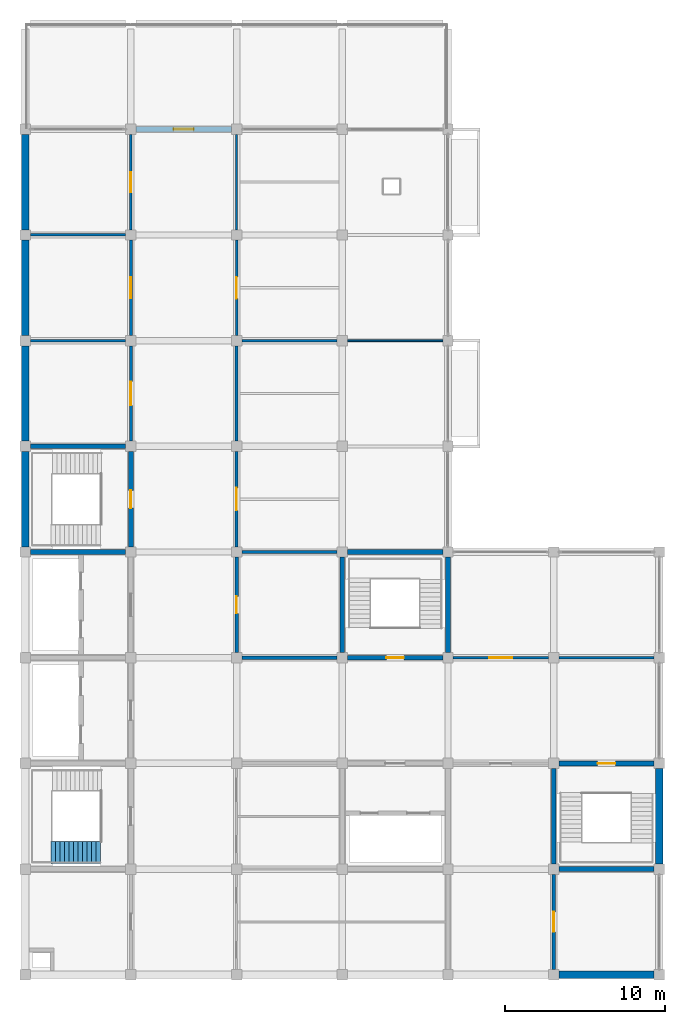
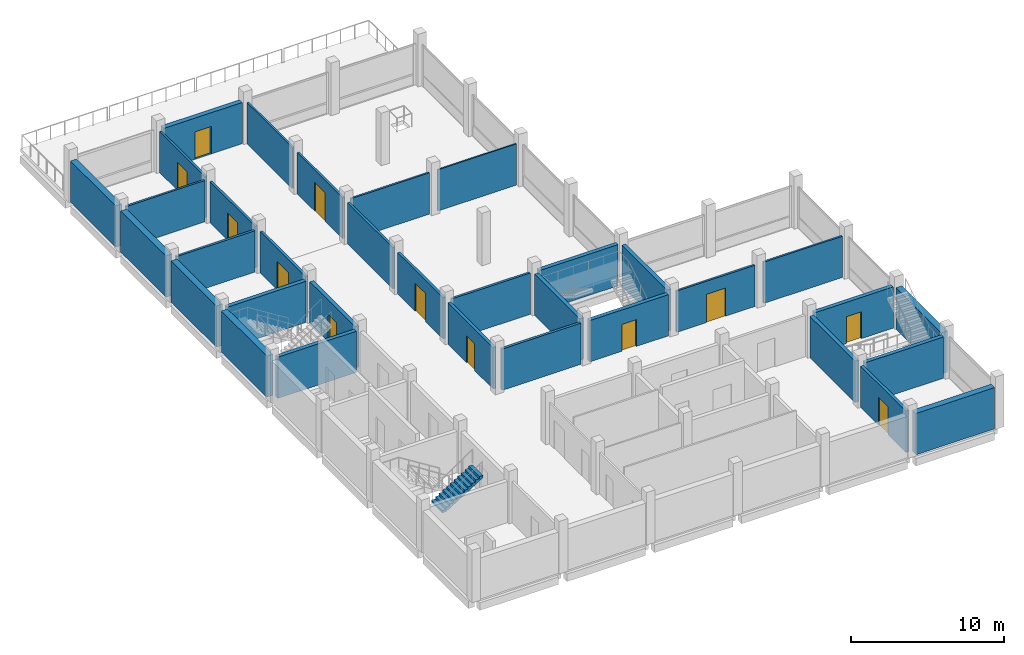
# One storey, part 8 of 11: 34 walls, 12 doors, 1 stair flight, 12 openings, 1 element without a shape of its own.
"""IFC4 building model written with IfcOpenShell, lengths in metres."""

from ifc_helpers import new_model, si_unit, direction, frame, frame_2d, origin, place, context, subcontext, project, spatial, polyline, rectangle, outline, extrude, material, layer, layer_set, type_object, element, fill, aggregate, save


model = new_model("IFC4")

# Units and contexts
model_context = context("Model", 3, precision=1e-05, world=origin(), true_north=direction((0.0, 1.0)))
body_context = subcontext(model_context, "Body", "Model", "MODEL_VIEW")
ifc_project = project(units=[si_unit("LENGTHUNIT", "METRE"), si_unit("AREAUNIT", "SQUARE_METRE"), si_unit("VOLUMEUNIT", "CUBIC_METRE"), si_unit("PLANEANGLEUNIT", "RADIAN"), si_unit("MASSUNIT", "GRAM", prefix="KILO")], contexts=[model_context])

# Site, building, storey
site_placement = place(None, origin())
site = spatial("IfcSite", under=ifc_project, at=site_placement, CompositionType="ELEMENT")
building_placement = place(site_placement, origin())
building = spatial("IfcBuilding", under=site, at=building_placement, Name="Rusizi Kubbe Research Institute", CompositionType="ELEMENT")
storey_placement = place(building_placement, frame((0.0, 0.0, 56.39990234375)))
storey = spatial("IfcBuildingStorey", under=building, at=storey_placement, Name="L13", CompositionType="ELEMENT", Elevation=56.39990234375)

# Walls
ifc_material_1 = material(Name="Concrete C40/50", Category="concrete")
ifc_layer_1 = layer(ifc_material_1, 0.294921875)
ifc_layer_set_1 = layer_set([ifc_layer_1], Name="Concrete C40/50")
wall_type_1 = type_object("IfcWallType", Name="CRW-03", PredefinedType="SHEAR", material=ifc_layer_set_1)
for number, where, z_axis, x_axis, name in (
    (1, (0.324951171875, 26.39990234375, 0.0), (0.0, 0.0, 1.0), (1.0, 0.0, 0.0), "Stair Core Shear Wall ST2 L13 S"),
    (2, (0.324951171875, 33.0, 0.0), (0.0, 0.0, 1.0), (1.0, 0.0, 0.0), "Stair Core Shear Wall ST2 L13 N"),
):
    element("IfcWall", number, at=place(storey_placement, frame(where, z_axis=z_axis, x_axis=x_axis)), inside=storey, type_object=wall_type_1, Name=name, PredefinedType="SHEAR", context=body_context, shape_type="SweptSolid", body=[
        extrude(rectangle(XDim=5.949951171875, YDim=0.294921875, at=frame_2d((2.97509765625, 0.0))), origin(), (0.0, 0.0, 1.0), 3.300048828125),
    ])

# Wall, opening, door
wall_1_placement = place(storey_placement, frame((6.60009765625, 26.72509765625, 0.0), z_axis=(0.0, 0.0, 1.0), x_axis=(0.0, 1.0, 0.0)))
wall_1 = element("IfcWall", 3, at=wall_1_placement, inside=storey, type_object=wall_type_1, Name="Stair Core Shear Wall ST2 L13 E", PredefinedType="SHEAR", context=body_context, shape_type="SweptSolid", body=[
    extrude(rectangle(XDim=5.949951171875, YDim=0.294921875, at=frame_2d((2.97509765625, 0.0))), origin(), (0.0, 0.0, 1.0), 3.300048828125),
])
opening_1_placement = place(wall_1_placement, frame((2.425048828125, 0.0, 0.0)))
opening_1 = element("IfcOpeningElement", 4, at=opening_1_placement, cuts=wall_1, Name="Opening D-01", PredefinedType="OPENING", context=body_context, shape_type="SweptSolid", body=[
    extrude(rectangle(XDim=1.10009765625, YDim=2.14990234375, at=frame_2d((0.550048828125, 1.074951171875))), frame((0.0, 0.157470703125, 0.0), z_axis=(0.0, -1.0, 0.0), x_axis=(1.0, 0.0, 0.0)), (0.0, 0.0, 1.0), 0.31494140625),
])
ifc_material_2 = material(Name="Fire-Rated Steel Frame and Acoustic Timber Leaf", Category="wood")
door_type_1 = type_object("IfcDoorType", Name="ID-STAIR-110", OperationType="NOTDEFINED", PredefinedType="DOOR", material=ifc_material_2)
door_1_placement = place(opening_1_placement, origin())
door_1 = element("IfcDoor", 5, at=door_1_placement, inside=storey, type_object=door_type_1, Name="Exit Stair Door ST2 L13", OperationType="SINGLE_SWING_LEFT", OverallHeight=2.14990234375, OverallWidth=1.10009765625, PredefinedType="DOOR", context=body_context, shape_type="SweptSolid", body=[
    extrude(rectangle(XDim=1.10009765625, YDim=2.14990234375, at=frame_2d((0.550048828125, 1.074951171875))), frame((0.0, 0.02490234375, 0.0), z_axis=(0.0, -1.0, 0.0), x_axis=(1.0, 0.0, 0.0)), (0.0, 0.0, 1.0), 0.050048828125),
])
fill(opening_1, door_1)

wall_2_placement = place(storey_placement, frame((20.125, 19.800048828125, 0.0), z_axis=(0.0, 0.0, 1.0), x_axis=(1.0, 0.0, 0.0)))
wall_2 = element("IfcWall", 6, at=wall_2_placement, inside=storey, type_object=wall_type_1, Name="Stair Core Shear Wall ST3 L13 S", PredefinedType="SHEAR", context=body_context, shape_type="SweptSolid", body=[
    extrude(rectangle(XDim=5.949951171875, YDim=0.294921875, at=frame_2d((2.97509765625, 0.0))), origin(), (0.0, 0.0, 1.0), 3.300048828125),
])
opening_2_placement = place(wall_2_placement, frame((2.425048828125, 0.0, 0.0)))
opening_2 = element("IfcOpeningElement", 7, at=opening_2_placement, cuts=wall_2, Name="Opening D-01", PredefinedType="OPENING", context=body_context, shape_type="SweptSolid", body=[
    extrude(rectangle(XDim=1.10009765625, YDim=2.14990234375, at=frame_2d((0.550048828125, 1.074951171875))), frame((0.0, 0.157470703125, 0.0), z_axis=(0.0, -1.0, 0.0), x_axis=(1.0, 0.0, 0.0)), (0.0, 0.0, 1.0), 0.31494140625),
])
door_2_placement = place(opening_2_placement, origin())
door_2 = element("IfcDoor", 8, at=door_2_placement, inside=storey, type_object=door_type_1, Name="Exit Stair Door ST3 L13", OperationType="SINGLE_SWING_LEFT", OverallHeight=2.14990234375, OverallWidth=1.10009765625, PredefinedType="DOOR", context=body_context, shape_type="SweptSolid", body=[
    extrude(rectangle(XDim=1.10009765625, YDim=2.14990234375, at=frame_2d((0.550048828125, 1.074951171875))), frame((0.0, 0.02490234375, 0.0), z_axis=(0.0, -1.0, 0.0), x_axis=(1.0, 0.0, 0.0)), (0.0, 0.0, 1.0), 0.050048828125),
])
fill(opening_2, door_2)

# Walls
for number, where, z_axis, x_axis, name in (
    (9, (20.125, 26.39990234375, 0.0), (0.0, 0.0, 1.0), (1.0, 0.0, 0.0), "Stair Core Shear Wall ST3 L13 N"),
    (10, (19.800048828125, 20.125, 0.0), (0.0, 0.0, 1.0), (0.0, 1.0, 0.0), "Stair Core Shear Wall ST3 L13 W"),
    (11, (26.39990234375, 20.125, 0.0), (0.0, 0.0, 1.0), (0.0, 1.0, 0.0), "Stair Core Shear Wall ST3 L13 E"),
    (12, (33.324951171875, 6.60009765625, 0.0), (0.0, 0.0, 1.0), (1.0, 0.0, 0.0), "Stair Core Shear Wall ST4 L13 S"),
):
    element("IfcWall", number, at=place(storey_placement, frame(where, z_axis=z_axis, x_axis=x_axis)), inside=storey, type_object=wall_type_1, Name=name, PredefinedType="SHEAR", context=body_context, shape_type="SweptSolid", body=[
        extrude(rectangle(XDim=5.949951171875, YDim=0.294921875, at=frame_2d((2.97509765625, 0.0))), origin(), (0.0, 0.0, 1.0), 3.300048828125),
    ])

# Wall, opening, door
wall_3_placement = place(storey_placement, frame((33.324951171875, 13.199951171875, 0.0), z_axis=(0.0, 0.0, 1.0), x_axis=(1.0, 0.0, 0.0)))
wall_3 = element("IfcWall", 13, at=wall_3_placement, inside=storey, type_object=wall_type_1, Name="Stair Core Shear Wall ST4 L13 N", PredefinedType="SHEAR", context=body_context, shape_type="SweptSolid", body=[
    extrude(rectangle(XDim=5.949951171875, YDim=0.294921875, at=frame_2d((2.97509765625, 0.0))), origin(), (0.0, 0.0, 1.0), 3.300048828125),
])
opening_3_placement = place(wall_3_placement, frame((2.425048828125, 0.0, 0.0)))
opening_3 = element("IfcOpeningElement", 14, at=opening_3_placement, cuts=wall_3, Name="Opening D-01", PredefinedType="OPENING", context=body_context, shape_type="SweptSolid", body=[
    extrude(rectangle(XDim=1.10009765625, YDim=2.14990234375, at=frame_2d((0.550048828125, 1.074951171875))), frame((0.0, 0.157470703125, 0.0), z_axis=(0.0, -1.0, 0.0), x_axis=(1.0, 0.0, 0.0)), (0.0, 0.0, 1.0), 0.31494140625),
])
door_3_placement = place(opening_3_placement, origin())
door_3 = element("IfcDoor", 15, at=door_3_placement, inside=storey, type_object=door_type_1, Name="Exit Stair Door ST4 L13", OperationType="SINGLE_SWING_LEFT", OverallHeight=2.14990234375, OverallWidth=1.10009765625, PredefinedType="DOOR", context=body_context, shape_type="SweptSolid", body=[
    extrude(rectangle(XDim=1.10009765625, YDim=2.14990234375, at=frame_2d((0.550048828125, 1.074951171875))), frame((0.0, 0.02490234375, 0.0), z_axis=(0.0, -1.0, 0.0), x_axis=(1.0, 0.0, 0.0)), (0.0, 0.0, 1.0), 0.050048828125),
])
fill(opening_3, door_3)

# Wall
wall_4_placement = place(storey_placement, frame((33.0, 6.925048828125, 0.0), z_axis=(0.0, 0.0, 1.0), x_axis=(0.0, 1.0, 0.0)))
element("IfcWall", 16, at=wall_4_placement, inside=storey, type_object=wall_type_1, Name="Stair Core Shear Wall ST4 L13 W", PredefinedType="SHEAR", context=body_context, shape_type="SweptSolid", body=[
    extrude(rectangle(XDim=5.949951171875, YDim=0.294921875, at=frame_2d((2.97509765625, 0.0))), origin(), (0.0, 0.0, 1.0), 3.300048828125),
])

# Wall, opening, door
ifc_material_3 = material(Name="Volcanic Basalt Ashlar Masonry", Category="masonry")
ifc_layer_2 = layer(ifc_material_3, 0.35498046875)
ifc_layer_set_2 = layer_set([ifc_layer_2], Name="Volcanic Basalt Ashlar Masonry")
wall_type_2 = type_object("IfcWallType", Name="EW-06", PredefinedType="SOLIDWALL", material=ifc_layer_set_2)
wall_5_placement = place(storey_placement, frame((6.925048828125, 52.800048828125, 0.0), z_axis=(0.0, 0.0, 1.0), x_axis=(1.0, 0.0, 0.0)))
wall_5 = element("IfcWall", 17, at=wall_5_placement, inside=storey, type_object=wall_type_2, Name="Terrace Access Wall L13 H1-8", PredefinedType="SOLIDWALL", context=body_context, shape_type="SweptSolid", body=[
    extrude(rectangle(XDim=5.949951171875, YDim=0.35498046875, at=frame_2d((2.97509765625, 0.0))), origin(), (0.0, 0.0, 1.0), 3.300048828125),
])
opening_4_placement = place(wall_5_placement, frame((2.35009765625, 0.0, 0.0)))
opening_4 = element("IfcOpeningElement", 18, at=opening_4_placement, cuts=wall_5, Name="Opening D-37", PredefinedType="OPENING", context=body_context, shape_type="SweptSolid", body=[
    extrude(rectangle(XDim=1.25, YDim=2.199951171875, at=frame_2d((0.625, 1.10009765625))), frame((0.0, 0.1875, 0.0), z_axis=(0.0, -1.0, 0.0), x_axis=(1.0, 0.0, 0.0)), (0.0, 0.0, 1.0), 0.375),
])
ifc_material_4 = material(Name="Insulated Steel and Laminated Safety Glass", Category="steel")
door_type_2 = type_object("IfcDoorType", Name="ED-07", OperationType="NOTDEFINED", PredefinedType="DOOR", material=ifc_material_4)
door_4_placement = place(opening_4_placement, origin())
door_4 = element("IfcDoor", 19, at=door_4_placement, inside=storey, type_object=door_type_2, Name="Roof Terrace Door L13-T07", OperationType="SINGLE_SWING_LEFT", OverallHeight=2.199951171875, OverallWidth=1.25, PredefinedType="DOOR", context=body_context, shape_type="SweptSolid", body=[
    extrude(rectangle(XDim=1.25, YDim=2.199951171875, at=frame_2d((0.625, 1.10009765625))), frame((0.0, 0.02490234375, 0.0), z_axis=(0.0, -1.0, 0.0), x_axis=(1.0, 0.0, 0.0)), (0.0, 0.0, 1.0), 0.050048828125),
])
fill(opening_4, door_4)

ifc_material_5 = material(Name="Concrete Blockwork Fire Partition", Category="masonry")
ifc_layer_3 = layer(ifc_material_5, 0.22509765625)
ifc_layer_set_3 = layer_set([ifc_layer_3], Name="Concrete Blockwork Fire Partition")
wall_type_3 = type_object("IfcWallType", Name="IW-01", PredefinedType="PARTITIONING", material=ifc_layer_set_3)
wall_6_placement = place(storey_placement, frame((13.199951171875, 20.125, 0.0), z_axis=(0.0, 0.0, 1.0), x_axis=(0.0, 1.0, 0.0)))
wall_6 = element("IfcWall", 20, at=wall_6_placement, inside=storey, type_object=wall_type_3, Name="Interior Partition Wall L13 V2-3", PredefinedType="PARTITIONING", context=body_context, shape_type="SweptSolid", body=[
    extrude(rectangle(XDim=5.949951171875, YDim=0.22509765625, at=frame_2d((2.97509765625, 0.0))), origin(), (0.0, 0.0, 1.0), 3.300048828125),
])
opening_5_placement = place(wall_6_placement, frame((2.449951171875, 0.0, 0.0)))
opening_5 = element("IfcOpeningElement", 21, at=opening_5_placement, cuts=wall_6, Name="Opening D-16", PredefinedType="OPENING", context=body_context, shape_type="SweptSolid", body=[
    extrude(rectangle(XDim=1.050048828125, YDim=2.14990234375, at=frame_2d((0.52490234375, 1.074951171875))), frame((0.0, 0.12255859375, 0.0), z_axis=(0.0, -1.0, 0.0), x_axis=(1.0, 0.0, 0.0)), (0.0, 0.0, 1.0), 0.2451171875),
])
ifc_material_6 = material(Name="Fire-Rated Steel Frame and Acoustic Timber Leaf", Category="wood")
door_type_3 = type_object("IfcDoorType", Name="ID-OFF-105", OperationType="NOTDEFINED", PredefinedType="DOOR", material=ifc_material_6)
door_5_placement = place(opening_5_placement, origin())
door_5 = element("IfcDoor", 22, at=door_5_placement, inside=storey, type_object=door_type_3, Name="Door to Write-up Office (L13-NW-01)", OperationType="SINGLE_SWING_LEFT", OverallHeight=2.14990234375, OverallWidth=1.050048828125, PredefinedType="DOOR", context=body_context, shape_type="SweptSolid", body=[
    extrude(rectangle(XDim=1.050048828125, YDim=2.14990234375, at=frame_2d((0.52490234375, 1.074951171875))), frame((0.0, 0.02490234375, 0.0), z_axis=(0.0, -1.0, 0.0), x_axis=(1.0, 0.0, 0.0)), (0.0, 0.0, 1.0), 0.050048828125),
])
fill(opening_5, door_5)

wall_7_placement = place(storey_placement, frame((33.0, 0.324951171875, 0.0), z_axis=(0.0, 0.0, 1.0), x_axis=(0.0, 1.0, 0.0)))
wall_7 = element("IfcWall", 23, at=wall_7_placement, inside=storey, type_object=wall_type_3, Name="Interior Partition Wall L13 V5-0", PredefinedType="PARTITIONING", context=body_context, shape_type="SweptSolid", body=[
    extrude(rectangle(XDim=5.949951171875, YDim=0.22509765625, at=frame_2d((2.97509765625, 0.0))), origin(), (0.0, 0.0, 1.0), 3.300048828125),
])
opening_6_placement = place(wall_7_placement, frame((2.35009765625, 0.0, 0.0)))
opening_6 = element("IfcOpeningElement", 24, at=opening_6_placement, cuts=wall_7, Name="Opening D-15", PredefinedType="OPENING", context=body_context, shape_type="SweptSolid", body=[
    extrude(rectangle(XDim=1.25, YDim=2.25, at=frame_2d((0.625, 1.125))), frame((0.0, 0.12255859375, 0.0), z_axis=(0.0, -1.0, 0.0), x_axis=(1.0, 0.0, 0.0)), (0.0, 0.0, 1.0), 0.2451171875),
])
ifc_material_7 = material(Name="Fire-Rated Steel Frame and Acoustic Timber Leaf", Category="wood")
door_type_4 = type_object("IfcDoorType", Name="ID-LAB-125", OperationType="NOTDEFINED", PredefinedType="DOOR", material=ifc_material_7)
door_6_placement = place(opening_6_placement, origin())
door_6 = element("IfcDoor", 25, at=door_6_placement, inside=storey, type_object=door_type_4, Name="Door to Laboratory Instrument Support Room (L13-EWU-05)", OperationType="SINGLE_SWING_LEFT", OverallHeight=2.25, OverallWidth=1.25, PredefinedType="DOOR", context=body_context, shape_type="SweptSolid", body=[
    extrude(rectangle(XDim=1.25, YDim=2.25, at=frame_2d((0.625, 1.125))), frame((0.0, 0.02490234375, 0.0), z_axis=(0.0, -1.0, 0.0), x_axis=(1.0, 0.0, 0.0)), (0.0, 0.0, 1.0), 0.050048828125),
])
fill(opening_6, door_6)

ifc_material_8 = material(Name="Insulated Cleanroom Partition", Category="masonry")
ifc_layer_4 = layer(ifc_material_8, 0.195068359375)
ifc_layer_set_4 = layer_set([ifc_layer_4], Name="Insulated Cleanroom Partition")
wall_type_4 = type_object("IfcWallType", Name="IW-02", PredefinedType="PARTITIONING", material=ifc_layer_set_4)
wall_8_placement = place(storey_placement, frame((6.60009765625, 33.324951171875, 0.0), z_axis=(0.0, 0.0, 1.0), x_axis=(0.0, 1.0, 0.0)))
wall_8 = element("IfcWall", 26, at=wall_8_placement, inside=storey, type_object=wall_type_4, Name="Interior Partition Wall L13 V1-5", PredefinedType="PARTITIONING", context=body_context, shape_type="SweptSolid", body=[
    extrude(rectangle(XDim=5.949951171875, YDim=0.195068359375, at=frame_2d((2.97509765625, 0.0))), origin(), (0.0, 0.0, 1.0), 3.300048828125),
])
opening_7_placement = place(wall_8_placement, frame((2.235107421875, 0.0, 0.0)))
opening_7 = element("IfcOpeningElement", 27, at=opening_7_placement, cuts=wall_8, Name="Opening LD-08", PredefinedType="OPENING", context=body_context, shape_type="SweptSolid", body=[
    extrude(rectangle(XDim=1.47998046875, YDim=2.25, at=frame_2d((0.739990234375, 1.125))), frame((0.0, 0.107421875, 0.0), z_axis=(0.0, -1.0, 0.0), x_axis=(1.0, 0.0, 0.0)), (0.0, 0.0, 1.0), 0.215087890625),
])
ifc_material_9 = material(Name="Brushed Stainless Steel Sliding Door", Category="steel")
door_type_5 = type_object("IfcDoorType", Name="LD-08", OperationType="DOUBLE_DOOR_SLIDING", PredefinedType="USERDEFINED", material=ifc_material_9)
door_7_placement = place(opening_7_placement, origin())
door_7 = element("IfcDoor", 28, at=door_7_placement, inside=storey, type_object=door_type_5, Name="Door to Clean Room Gowning Airlock (L13-ALK-05)", ObjectType="SLIDING DOOR", OperationType="DOUBLE_DOOR_SLIDING", OverallHeight=2.25, OverallWidth=1.47998046875, PredefinedType="USERDEFINED", context=body_context, shape_type="SweptSolid", body=[
    extrude(rectangle(XDim=1.47998046875, YDim=2.25, at=frame_2d((0.739990234375, 1.125))), frame((0.0, 0.02490234375, 0.0), z_axis=(0.0, -1.0, 0.0), x_axis=(1.0, 0.0, 0.0)), (0.0, 0.0, 1.0), 0.050048828125),
])
fill(opening_7, door_7)

wall_9_placement = place(storey_placement, frame((13.199951171875, 26.72509765625, 0.0), z_axis=(0.0, 0.0, 1.0), x_axis=(0.0, 1.0, 0.0)))
wall_9 = element("IfcWall", 29, at=wall_9_placement, inside=storey, type_object=wall_type_4, Name="Interior Partition Wall L13 V2-4", PredefinedType="PARTITIONING", context=body_context, shape_type="SweptSolid", body=[
    extrude(rectangle(XDim=5.949951171875, YDim=0.195068359375, at=frame_2d((2.97509765625, 0.0))), origin(), (0.0, 0.0, 1.0), 3.300048828125),
])
opening_8_placement = place(wall_9_placement, frame((2.27490234375, 0.0, 0.0)))
opening_8 = element("IfcOpeningElement", 30, at=opening_8_placement, cuts=wall_9, Name="Opening D-12", PredefinedType="OPENING", context=body_context, shape_type="SweptSolid", body=[
    extrude(rectangle(XDim=1.39990234375, YDim=2.25, at=frame_2d((0.699951171875, 1.125))), frame((0.0, 0.107421875, 0.0), z_axis=(0.0, -1.0, 0.0), x_axis=(1.0, 0.0, 0.0)), (0.0, 0.0, 1.0), 0.215087890625),
])
ifc_material_10 = material(Name="Fire-Rated Steel Frame and Acoustic Timber Leaf", Category="wood")
door_type_6 = type_object("IfcDoorType", Name="ID-LAB-140", OperationType="NOTDEFINED", PredefinedType="DOOR", material=ifc_material_10)
door_8_placement = place(opening_8_placement, origin())
door_8 = element("IfcDoor", 31, at=door_8_placement, inside=storey, type_object=door_type_6, Name="Door to Bioscience Wet Laboratory (L13-NW-02)", OperationType="SINGLE_SWING_RIGHT", OverallHeight=2.25, OverallWidth=1.39990234375, PredefinedType="DOOR", context=body_context, shape_type="SweptSolid", body=[
    extrude(rectangle(XDim=1.39990234375, YDim=2.25, at=frame_2d((0.699951171875, 1.125))), frame((0.0, 0.02490234375, 0.0), z_axis=(0.0, -1.0, 0.0), x_axis=(1.0, 0.0, 0.0)), (0.0, 0.0, 1.0), 0.050048828125),
])
fill(opening_8, door_8)

# Walls
wall_10_placement = place(storey_placement, frame((13.52490234375, 19.800048828125, 0.0), z_axis=(0.0, 0.0, 1.0), x_axis=(1.0, 0.0, 0.0)))
element("IfcWall", 32, at=wall_10_placement, inside=storey, type_object=wall_type_4, Name="Interior Partition Wall L13 H2-3", PredefinedType="PARTITIONING", context=body_context, shape_type="SweptSolid", body=[
    extrude(rectangle(XDim=5.9501953125, YDim=0.195068359375, at=frame_2d((2.97509765625, 0.0))), origin(), (0.0, 0.0, 1.0), 3.300048828125),
])
ifc_material_11 = material(Name="Acoustic Laboratory Partition", Category="masonry")
ifc_layer_5 = layer(ifc_material_11, 0.175048828125)
ifc_layer_set_5 = layer_set([ifc_layer_5], Name="Acoustic Laboratory Partition")
wall_type_5 = type_object("IfcWallType", Name="IW-03", PredefinedType="PARTITIONING", material=ifc_layer_set_5)
wall_11_placement = place(storey_placement, frame((0.324951171875, 39.60009765625, 0.0), z_axis=(0.0, 0.0, 1.0), x_axis=(1.0, 0.0, 0.0)))
element("IfcWall", 33, at=wall_11_placement, inside=storey, type_object=wall_type_5, Name="Interior Partition Wall L13 H0-6", PredefinedType="PARTITIONING", context=body_context, shape_type="SweptSolid", body=[
    extrude(rectangle(XDim=5.949951171875, YDim=0.175048828125, at=frame_2d((2.97509765625, 0.0))), origin(), (0.0, 0.0, 1.0), 3.300048828125),
])

# Wall, opening, door
wall_12_placement = place(storey_placement, frame((6.60009765625, 39.925048828125, 0.0), z_axis=(0.0, 0.0, 1.0), x_axis=(0.0, 1.0, 0.0)))
wall_12 = element("IfcWall", 34, at=wall_12_placement, inside=storey, type_object=wall_type_5, Name="Interior Partition Wall L13 V1-6", PredefinedType="PARTITIONING", context=body_context, shape_type="SweptSolid", body=[
    extrude(rectangle(XDim=5.949951171875, YDim=0.175048828125, at=frame_2d((2.97509765625, 0.0))), origin(), (0.0, 0.0, 1.0), 3.300048828125),
])
opening_9_placement = place(wall_12_placement, frame((2.31494140625, 0.0, 0.0)))
opening_9 = element("IfcOpeningElement", 35, at=opening_9_placement, cuts=wall_12, Name="Opening LD-07", PredefinedType="OPENING", context=body_context, shape_type="SweptSolid", body=[
    extrude(rectangle(XDim=1.320068359375, YDim=2.199951171875, at=frame_2d((0.66015625, 1.10009765625))), frame((0.0, 0.097412109375, 0.0), z_axis=(0.0, -1.0, 0.0), x_axis=(1.0, 0.0, 0.0)), (0.0, 0.0, 1.0), 0.195068359375),
])
ifc_material_12 = material(Name="Brushed Stainless Steel Sliding Door", Category="steel")
door_type_7 = type_object("IfcDoorType", Name="LD-07", OperationType="DOUBLE_DOOR_SLIDING", PredefinedType="USERDEFINED", material=ifc_material_12)
door_9_placement = place(opening_9_placement, origin())
door_9 = element("IfcDoor", 36, at=door_9_placement, inside=storey, type_object=door_type_7, Name="Door to ISO-6 Clean Room Suite (L13-CR-06)", ObjectType="SLIDING DOOR", OperationType="DOUBLE_DOOR_SLIDING", OverallHeight=2.199951171875, OverallWidth=1.320068359375, PredefinedType="USERDEFINED", context=body_context, shape_type="SweptSolid", body=[
    extrude(rectangle(XDim=1.320068359375, YDim=2.199951171875, at=frame_2d((0.66015625, 1.10009765625))), frame((0.0, 0.02490234375, 0.0), z_axis=(0.0, -1.0, 0.0), x_axis=(1.0, 0.0, 0.0)), (0.0, 0.0, 1.0), 0.050048828125),
])
fill(opening_9, door_9)

# Walls
wall_13_placement = place(storey_placement, frame((13.199951171875, 33.324951171875, 0.0), z_axis=(0.0, 0.0, 1.0), x_axis=(0.0, 1.0, 0.0)))
element("IfcWall", 37, at=wall_13_placement, inside=storey, type_object=wall_type_5, Name="Interior Partition Wall L13 V2-5", PredefinedType="PARTITIONING", context=body_context, shape_type="SweptSolid", body=[
    extrude(rectangle(XDim=5.949951171875, YDim=0.175048828125, at=frame_2d((2.97509765625, 0.0))), origin(), (0.0, 0.0, 1.0), 3.300048828125),
])
wall_14_placement = place(storey_placement, frame((13.52490234375, 26.39990234375, 0.0), z_axis=(0.0, 0.0, 1.0), x_axis=(1.0, 0.0, 0.0)))
element("IfcWall", 38, at=wall_14_placement, inside=storey, type_object=wall_type_5, Name="Interior Partition Wall L13 H2-4", PredefinedType="PARTITIONING", context=body_context, shape_type="SweptSolid", body=[
    extrude(rectangle(XDim=5.9501953125, YDim=0.175048828125, at=frame_2d((2.97509765625, 0.0))), origin(), (0.0, 0.0, 1.0), 3.300048828125),
])
ifc_material_13 = material(Name="Fire-Rated Corridor Partition", Category="masonry")
ifc_layer_6 = layer(ifc_material_13, 0.155029296875)
ifc_layer_set_6 = layer_set([ifc_layer_6], Name="Fire-Rated Corridor Partition")
wall_type_6 = type_object("IfcWallType", Name="IW-04", PredefinedType="PARTITIONING", material=ifc_layer_set_6)
wall_15_placement = place(storey_placement, frame((0.324951171875, 46.199951171875, 0.0), z_axis=(0.0, 0.0, 1.0), x_axis=(1.0, 0.0, 0.0)))
element("IfcWall", 39, at=wall_15_placement, inside=storey, type_object=wall_type_6, Name="Interior Partition Wall L13 H0-7", PredefinedType="PARTITIONING", context=body_context, shape_type="SweptSolid", body=[
    extrude(rectangle(XDim=5.949951171875, YDim=0.155029296875, at=frame_2d((2.97509765625, 0.0))), origin(), (0.0, 0.0, 1.0), 3.300048828125),
])

# Wall, opening, door
wall_16_placement = place(storey_placement, frame((6.60009765625, 46.52490234375, 0.0), z_axis=(0.0, 0.0, 1.0), x_axis=(0.0, 1.0, 0.0)))
wall_16 = element("IfcWall", 40, at=wall_16_placement, inside=storey, type_object=wall_type_6, Name="Interior Partition Wall L13 V1-7", PredefinedType="PARTITIONING", context=body_context, shape_type="SweptSolid", body=[
    extrude(rectangle(XDim=5.9501953125, YDim=0.155029296875, at=frame_2d((2.97509765625, 0.0))), origin(), (0.0, 0.0, 1.0), 3.300048828125),
])
opening_10_placement = place(wall_16_placement, frame((2.35009765625, 0.0, 0.0)))
opening_10 = element("IfcOpeningElement", 41, at=opening_10_placement, cuts=wall_16, Name="Opening D-15", PredefinedType="OPENING", context=body_context, shape_type="SweptSolid", body=[
    extrude(rectangle(XDim=1.25, YDim=2.25, at=frame_2d((0.625, 1.125))), frame((0.0, 0.08740234375, 0.0), z_axis=(0.0, -1.0, 0.0), x_axis=(1.0, 0.0, 0.0)), (0.0, 0.0, 1.0), 0.175048828125),
])
door_10_placement = place(opening_10_placement, origin())
door_10 = element("IfcDoor", 42, at=door_10_placement, inside=storey, type_object=door_type_4, Name="Door to Clean Room Metrology Laboratory (L13-WSP-07)", OperationType="SINGLE_SWING_LEFT", OverallHeight=2.25, OverallWidth=1.25, PredefinedType="DOOR", context=body_context, shape_type="SweptSolid", body=[
    extrude(rectangle(XDim=1.25, YDim=2.25, at=frame_2d((0.625, 1.125))), frame((0.0, 0.02490234375, 0.0), z_axis=(0.0, -1.0, 0.0), x_axis=(1.0, 0.0, 0.0)), (0.0, 0.0, 1.0), 0.050048828125),
])
fill(opening_10, door_10)

wall_17_placement = place(storey_placement, frame((13.199951171875, 39.925048828125, 0.0), z_axis=(0.0, 0.0, 1.0), x_axis=(0.0, 1.0, 0.0)))
wall_17 = element("IfcWall", 43, at=wall_17_placement, inside=storey, type_object=wall_type_6, Name="Interior Partition Wall L13 V2-6", PredefinedType="PARTITIONING", context=body_context, shape_type="SweptSolid", body=[
    extrude(rectangle(XDim=5.949951171875, YDim=0.155029296875, at=frame_2d((2.97509765625, 0.0))), origin(), (0.0, 0.0, 1.0), 3.300048828125),
])
opening_11_placement = place(wall_17_placement, frame((2.300048828125, 0.0, 0.0)))
opening_11 = element("IfcOpeningElement", 44, at=opening_11_placement, cuts=wall_17, Name="Opening D-13", PredefinedType="OPENING", context=body_context, shape_type="SweptSolid", body=[
    extrude(rectangle(XDim=1.35009765625, YDim=2.300048828125, at=frame_2d((0.675048828125, 1.14990234375))), frame((0.0, 0.08740234375, 0.0), z_axis=(0.0, -1.0, 0.0), x_axis=(1.0, 0.0, 0.0)), (0.0, 0.0, 1.0), 0.175048828125),
])
ifc_material_14 = material(Name="Fire-Rated Steel Frame and Acoustic Timber Leaf", Category="wood")
door_type_8 = type_object("IfcDoorType", Name="ID-LAB-135", OperationType="NOTDEFINED", PredefinedType="DOOR", material=ifc_material_14)
door_11_placement = place(opening_11_placement, origin())
door_11 = element("IfcDoor", 45, at=door_11_placement, inside=storey, type_object=door_type_8, Name="Door to Computational Dry Laboratory (L13-NW-03)", OperationType="SINGLE_SWING_LEFT", OverallHeight=2.300048828125, OverallWidth=1.35009765625, PredefinedType="DOOR", context=body_context, shape_type="SweptSolid", body=[
    extrude(rectangle(XDim=1.35009765625, YDim=2.300048828125, at=frame_2d((0.675048828125, 1.14990234375))), frame((0.0, 0.02490234375, 0.0), z_axis=(0.0, -1.0, 0.0), x_axis=(1.0, 0.0, 0.0)), (0.0, 0.0, 1.0), 0.050048828125),
])
fill(opening_11, door_11)

wall_18_placement = place(storey_placement, frame((26.72509765625, 19.800048828125, 0.0), z_axis=(0.0, 0.0, 1.0), x_axis=(1.0, 0.0, 0.0)))
wall_18 = element("IfcWall", 46, at=wall_18_placement, inside=storey, type_object=wall_type_6, Name="Interior Partition Wall L13 H4-3", PredefinedType="PARTITIONING", context=body_context, shape_type="SweptSolid", body=[
    extrude(rectangle(XDim=5.949951171875, YDim=0.155029296875, at=frame_2d((2.97509765625, 0.0))), origin(), (0.0, 0.0, 1.0), 3.300048828125),
])
opening_12_placement = place(wall_18_placement, frame((2.25, 0.0, 0.0)))
opening_12 = element("IfcOpeningElement", 47, at=opening_12_placement, cuts=wall_18, Name="Opening D-11", PredefinedType="OPENING", context=body_context, shape_type="SweptSolid", body=[
    extrude(rectangle(XDim=1.449951171875, YDim=2.25, at=frame_2d((0.72509765625, 1.125))), frame((0.0, 0.08740234375, 0.0), z_axis=(0.0, -1.0, 0.0), x_axis=(1.0, 0.0, 0.0)), (0.0, 0.0, 1.0), 0.175048828125),
])
ifc_material_15 = material(Name="Fire-Rated Steel Frame and Acoustic Timber Leaf", Category="wood")
door_type_9 = type_object("IfcDoorType", Name="ID-LAB-145", OperationType="NOTDEFINED", PredefinedType="DOOR", material=ifc_material_15)
door_12_placement = place(opening_12_placement, origin())
door_12 = element("IfcDoor", 48, at=door_12_placement, inside=storey, type_object=door_type_9, Name="Door to Molecular Diagnostics Laboratory (L13-EWN-01)", OperationType="SINGLE_SWING_LEFT", OverallHeight=2.25, OverallWidth=1.449951171875, PredefinedType="DOOR", context=body_context, shape_type="SweptSolid", body=[
    extrude(rectangle(XDim=1.449951171875, YDim=2.25, at=frame_2d((0.72509765625, 1.125))), frame((0.0, 0.02490234375, 0.0), z_axis=(0.0, -1.0, 0.0), x_axis=(1.0, 0.0, 0.0)), (0.0, 0.0, 1.0), 0.050048828125),
])
fill(opening_12, door_12)

# Walls
ifc_material_16 = material(Name="Write-up Glazed Acoustic Partition", Category="masonry")
ifc_layer_7 = layer(ifc_material_16, 0.139892578125)
ifc_layer_set_7 = layer_set([ifc_layer_7], Name="Write-up Glazed Acoustic Partition")
wall_type_7 = type_object("IfcWallType", Name="IW-05", PredefinedType="PARTITIONING", material=ifc_layer_set_7)
for number, where, z_axis, x_axis, name in (
    (49, (13.199951171875, 46.52490234375, 0.0), (0.0, 0.0, 1.0), (0.0, 1.0, 0.0), "Interior Partition Wall L13 V2-7"),
    (50, (13.52490234375, 39.60009765625, 0.0), (0.0, 0.0, 1.0), (1.0, 0.0, 0.0), "Interior Partition Wall L13 H2-6"),
):
    element("IfcWall", number, at=place(storey_placement, frame(where, z_axis=z_axis, x_axis=x_axis)), inside=storey, type_object=wall_type_7, Name=name, PredefinedType="PARTITIONING", context=body_context, shape_type="SweptSolid", body=[
        extrude(rectangle(XDim=5.9501953125, YDim=0.139892578125, at=frame_2d((2.97509765625, 0.0))), origin(), (0.0, 0.0, 1.0), 3.300048828125),
    ])
wall_19_placement = place(storey_placement, frame((33.324951171875, 19.800048828125, 0.0), z_axis=(0.0, 0.0, 1.0), x_axis=(1.0, 0.0, 0.0)))
element("IfcWall", 51, at=wall_19_placement, inside=storey, type_object=wall_type_7, Name="Interior Partition Wall L13 H5-3", PredefinedType="PARTITIONING", context=body_context, shape_type="SweptSolid", body=[
    extrude(rectangle(XDim=5.949951171875, YDim=0.139892578125, at=frame_2d((2.97509765625, 0.0))), origin(), (0.0, 0.0, 1.0), 3.300048828125),
])
ifc_material_17 = material(Name="Sub-Suite Fire Partition", Category="masonry")
ifc_layer_8 = layer(ifc_material_17, 0.110107421875)
ifc_layer_set_8 = layer_set([ifc_layer_8], Name="Sub-Suite Fire Partition")
wall_type_8 = type_object("IfcWallType", Name="IW-07", PredefinedType="PARTITIONING", material=ifc_layer_set_8)
wall_20_placement = place(storey_placement, frame((20.125, 39.60009765625, 0.0), z_axis=(0.0, 0.0, 1.0), x_axis=(1.0, 0.0, 0.0)))
element("IfcWall", 52, at=wall_20_placement, inside=storey, type_object=wall_type_8, Name="Interior Partition Wall L13 H3-6", PredefinedType="PARTITIONING", context=body_context, shape_type="SweptSolid", body=[
    extrude(rectangle(XDim=5.949951171875, YDim=0.110107421875, at=frame_2d((2.97509765625, 0.0))), origin(), (0.0, 0.0, 1.0), 3.300048828125),
])
ifc_material_18 = material(Name="Concrete C40/50", Category="concrete")
ifc_layer_9 = layer(ifc_material_18, 0.4599609375)
ifc_layer_set_9 = layer_set([ifc_layer_9], Name="Concrete C40/50")
wall_type_9 = type_object("IfcWallType", Name="PW-02", PredefinedType="SOLIDWALL", material=ifc_layer_set_9)
for number, where, z_axis, x_axis, name in (
    (53, (0.0, 26.72509765625, 0.0), (0.0, 0.0, 1.0), (0.0, 1.0, 0.0), "Blind Party Wall L13 V0-4"),
    (54, (0.0, 33.324951171875, 0.0), (0.0, 0.0, 1.0), (0.0, 1.0, 0.0), "Blind Party Wall L13 V0-5"),
    (55, (0.0, 39.925048828125, 0.0), (0.0, 0.0, 1.0), (0.0, 1.0, 0.0), "Blind Party Wall L13 V0-6"),
):
    element("IfcWall", number, at=place(storey_placement, frame(where, z_axis=z_axis, x_axis=x_axis)), inside=storey, type_object=wall_type_9, Name=name, PredefinedType="SOLIDWALL", context=body_context, shape_type="SweptSolid", body=[
        extrude(rectangle(XDim=5.949951171875, YDim=0.4599609375, at=frame_2d((2.97509765625, 0.0))), origin(), (0.0, 0.0, 1.0), 3.300048828125),
    ])
wall_21_placement = place(storey_placement, frame((0.0, 46.52490234375, 0.0), z_axis=(0.0, 0.0, 1.0), x_axis=(0.0, 1.0, 0.0)))
element("IfcWall", 56, at=wall_21_placement, inside=storey, type_object=wall_type_9, Name="Blind Party Wall L13 V0-7", PredefinedType="SOLIDWALL", context=body_context, shape_type="SweptSolid", body=[
    extrude(rectangle(XDim=5.9501953125, YDim=0.4599609375, at=frame_2d((2.97509765625, 0.0))), origin(), (0.0, 0.0, 1.0), 3.300048828125),
])
for number, where, z_axis, x_axis, name in (
    (57, (33.324951171875, 0.0, 0.0), (0.0, 0.0, 1.0), (1.0, 0.0, 0.0), "Blind Party Wall L13 H5-0"),
    (58, (39.60009765625, 6.925048828125, 0.0), (0.0, 0.0, 1.0), (0.0, 1.0, 0.0), "Core Shear Exterior Wall L13 V6-1"),
):
    element("IfcWall", number, at=place(storey_placement, frame(where, z_axis=z_axis, x_axis=x_axis)), inside=storey, type_object=wall_type_9, Name=name, PredefinedType="SOLIDWALL", context=body_context, shape_type="SweptSolid", body=[
        extrude(rectangle(XDim=5.949951171875, YDim=0.4599609375, at=frame_2d((2.97509765625, 0.0))), origin(), (0.0, 0.0, 1.0), 3.300048828125),
    ])

# Stair, stair flight
ifc_material_19 = material(Name="Concrete C40/50", Category="concrete")
stair_type = type_object("IfcStairType", Name="ST-H420A", PredefinedType="HALF_TURN_STAIR", material=ifc_material_19)
stair_placement = place(storey_placement, origin())
stair = element("IfcStair", 59, at=stair_placement, inside=storey, type_object=stair_type, Name="Protected Exit Stair ST1 (L13)", PredefinedType="HALF_TURN_STAIR")
ifc_material_20 = material(Name="Concrete C40/50", Category="concrete")
stair_flight_type = type_object("IfcStairFlightType", Name="FL-H420A", PredefinedType="STRAIGHT", material=ifc_material_20)
stair_flight_placement = place(storey_placement, frame((1.6259765625, 7.64990234375, 2.10009765625), z_axis=(0.0, 0.0, 1.0), x_axis=(1.0, 0.0, 0.0)))
stair_flight = element("IfcStairFlight", 60, at=stair_flight_placement, type_object=stair_flight_type, Name="ST1 flight 2", NumberOfRisers=12, NumberOfTreads=11, PredefinedType="STRAIGHT", RiserHeight=0.175, TreadLength=0.28, context=body_context, shape_type="SweptSolid", body=[
    extrude(outline(polyline([(0.0, 0.0), (0.0, 0.175048828125), (0.280029296875, 0.175048828125), (0.280029296875, 0.35009765625), (0.56005859375, 0.35009765625), (0.56005859375, 0.52490234375), (0.840087890625, 0.52490234375), (0.840087890625, 0.699951171875), (1.1201171875, 0.699951171875), (1.1201171875, 0.875), (1.39990234375, 0.875), (1.39990234375, 1.050048828125), (1.679931640625, 1.050048828125), (1.679931640625, 1.22509765625), (1.9599609375, 1.22509765625), (1.9599609375, 1.39990234375), (2.239990234375, 1.39990234375), (2.239990234375, 1.574951171875), (2.52001953125, 1.574951171875), (2.52001953125, 1.75), (2.800048828125, 1.75), (2.800048828125, 1.925048828125), (3.080078125, 1.925048828125), (3.080078125, 2.10009765625), (3.080078125, 1.736328125), (0.3017578125, 0.0), (0.0, 0.0)])), frame((0.0, 0.699951171875, 0.0), z_axis=(0.0, -1.0, 0.0), x_axis=(1.0, 0.0, 0.0)), (0.0, 0.0, 1.0), 1.39990234375),
])
aggregate(stair, [stair_flight])

save(model, "model.ifc")
